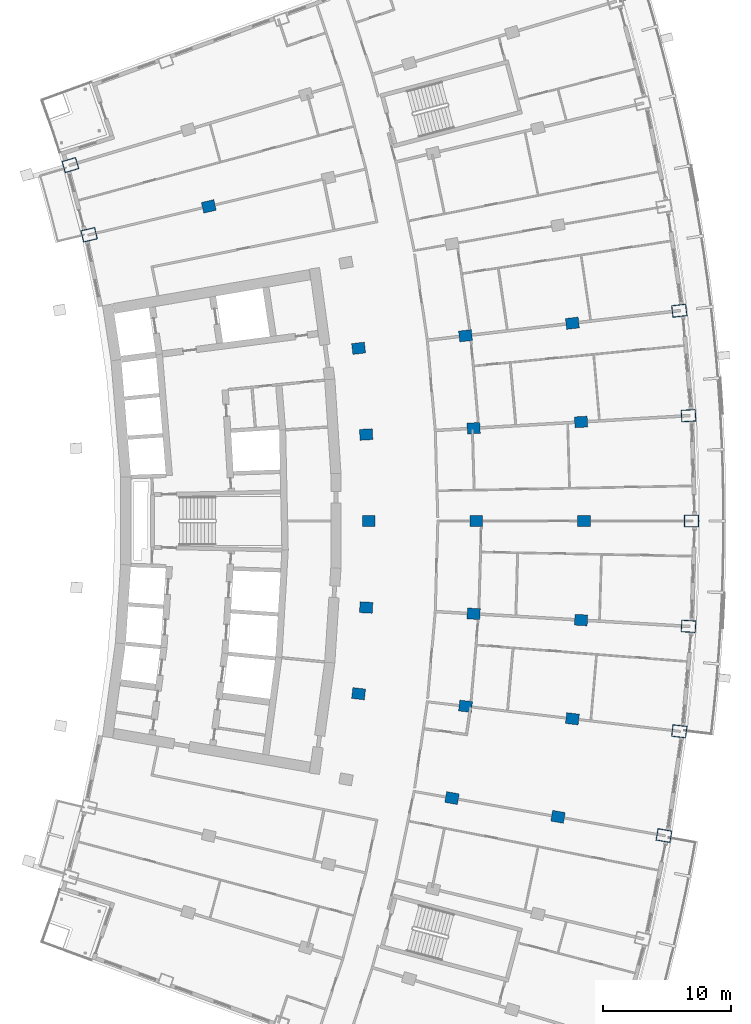
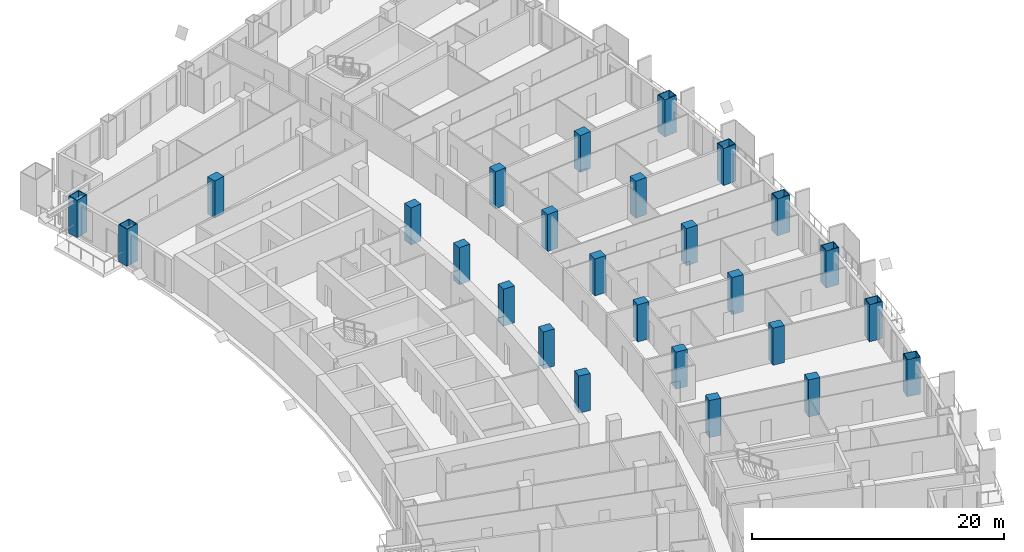
# One storey, part 6 of 25: 26 columns.
"""IFC4 building model written with IfcOpenShell, lengths in metres."""

from ifc_helpers import new_model, si_unit, direction, frame, origin, origin_2d, place, context, subcontext, project, spatial, rectangle, hollow_rectangle, extrude, material, material_profile, profile_set, type_object, element, save


model = new_model("IFC4")

# Units and contexts
model_context = context("Model", 3, precision=1e-05, world=origin(), true_north=direction((0.0, 1.0)))
body_context = subcontext(model_context, "Body", "Model", "MODEL_VIEW")
ifc_project = project(units=[si_unit("LENGTHUNIT", "METRE"), si_unit("AREAUNIT", "SQUARE_METRE"), si_unit("VOLUMEUNIT", "CUBIC_METRE"), si_unit("PLANEANGLEUNIT", "RADIAN"), si_unit("MASSUNIT", "GRAM", prefix="KILO")], contexts=[model_context])

# Site, building, storey
site_placement = place(None, origin())
site = spatial("IfcSite", under=ifc_project, at=site_placement, CompositionType="ELEMENT")
building_placement = place(site_placement, origin())
building = spatial("IfcBuilding", under=site, at=building_placement, Name="Alderwake Tower", CompositionType="ELEMENT")
storey_placement = place(building_placement, frame((0.0, 0.0, 111.199951171875)))
storey = spatial("IfcBuildingStorey", under=building, at=storey_placement, Name="L27", CompositionType="ELEMENT", Elevation=111.199951171875)

# Columns
ifc_material_1 = material(Name="Concrete C70/85", Category="concrete")
ifc_material_profile_1 = material_profile(ifc_material_1, rectangle(XDim=0.85009765625, YDim=1.0, at=origin_2d()), Name="RC 1000X850")
ifc_profile_set_1 = profile_set([ifc_material_profile_1], Name="Concrete C70/85")
column_type_1 = type_object("IfcColumnType", Name="Interior column Z2", PredefinedType="COLUMN", material=ifc_profile_set_1)
for number, where, z_axis, x_axis, name in (
    (1, (42.302978515625, 39.375732421875, 0.0), (0.0, 0.0, 1.0), (0.174108800747, 0.984726421654, 0.0), "Column R04-C3"),
    (2, (50.57470703125, 37.913330078125, 0.0), (0.0, 0.0, 1.0), (0.174107082075, 0.984726725529, 0.0), "Column R04-C4"),
    (3, (35.0126953125, 47.5205078125, 0.0), (0.0, 0.0, 1.0), (0.116402054316, 0.993202175668, 0.0), "Column R05-C2"),
    (4, (43.355712890625, 46.542724609375, 0.0), (0.0, 0.0, 1.0), (0.116402054316, 0.993202175668, 0.0), "Column R05-C3"),
    (5, (51.698486328125, 45.565185546875, 0.0), (0.0, 0.0, 1.0), (0.116402054316, 0.993202175668, 0.0), "Column R05-C4"),
    (6, (35.60302734375, 54.248779296875, 0.0), (0.0, 0.0, 1.0), (0.058301061284, 0.998299046505, 0.0), "Column R06-C2"),
    (7, (43.98876953125, 53.759033203125, 0.0), (0.0, 0.0, 1.0), (0.058301061284, 0.998299046505, 0.0), "Column R06-C3"),
    (8, (52.37451171875, 53.269287109375, 0.0), (0.0, 0.0, 1.0), (0.058299318924, 0.998299148258, 0.0), "Column R06-C4"),
    (9, (35.800048828125, 61.0, 0.0), (0.0, 0.0, 1.0), (0.0, 1.0, 0.0), "Column R07-C2"),
    (10, (44.199951171875, 61.0, 0.0), (0.0, 0.0, 1.0), (0.0, 1.0, 0.0), "Column R07-C3"),
    (11, (52.60009765625, 61.0, 0.0), (0.0, 0.0, 1.0), (0.0, 1.0, 0.0), "Column R07-C4"),
    (12, (35.60302734375, 67.751220703125, 0.0), (0.0, 0.0, 1.0), (-0.058301061284, 0.998299046505, 0.0), "Column R08-C2"),
    (13, (43.98876953125, 68.240966796875, 0.0), (0.0, 0.0, 1.0), (-0.058301061284, 0.998299046505, 0.0), "Column R08-C3"),
    (14, (52.37451171875, 68.730712890625, 0.0), (0.0, 0.0, 1.0), (-0.058299318924, 0.998299148258, 0.0), "Column R08-C4"),
    (15, (35.0126953125, 74.4794921875, 0.0), (0.0, 0.0, 1.0), (-0.116402054316, 0.993202175668, 0.0), "Column R09-C2"),
    (16, (43.355712890625, 75.457275390625, 0.0), (0.0, 0.0, 1.0), (-0.116402054316, 0.993202175668, 0.0), "Column R09-C3"),
    (17, (51.698486328125, 76.434814453125, 0.0), (0.0, 0.0, 1.0), (-0.116402054316, 0.993202175668, 0.0), "Column R09-C4"),
    (18, (23.322021484375, 85.555908203125, 0.0), (0.0, 0.0, 1.0), (-0.231221547198, 0.972901123502, 0.0), "Column R11-C1"),
):
    element("IfcColumn", number, at=place(storey_placement, frame(where, z_axis=z_axis, x_axis=x_axis)), inside=storey, type_object=column_type_1, Name=name, PredefinedType="COLUMN", context=body_context, shape_type="SweptSolid", body=[
        extrude(rectangle(XDim=0.85009765625, YDim=1.0, at=origin_2d()), origin(), (0.0, 0.0, 1.0), 3.60009765625),
    ])
ifc_material_2 = material(Name="Steel ASTM A572 Grade 50 concrete filled C70/85", Category="concrete")
ifc_material_profile_2 = material_profile(ifc_material_2, hollow_rectangle(XDim=0.949951171875, YDim=1.14990234375, WallThickness=0.06005859375, at=origin_2d()), Name="BOX 1150X950X60")
ifc_profile_set_2 = profile_set([ifc_material_profile_2], Name="Steel ASTM A572 Grade 50 concrete filled C70/85")
column_type_2 = type_object("IfcColumnType", Name="Perimeter column Z2", PredefinedType="COLUMN", material=ifc_profile_set_2)
for number, where, z_axis, x_axis, name in (
    (19, (58.846435546875, 36.45068359375, 0.0), (0.0, 0.0, 1.0), (0.174107082075, 0.984726725529, 0.0), "Column R04-C5"),
    (20, (60.04150390625, 44.58740234375, 0.0), (0.0, 0.0, 1.0), (0.116402054316, 0.993202175668, 0.0), "Column R05-C5"),
    (21, (60.76025390625, 52.77978515625, 0.0), (0.0, 0.0, 1.0), (0.058299318924, 0.998299148258, 0.0), "Column R06-C5"),
    (22, (61.0, 61.0, 0.0), (0.0, 0.0, 1.0), (0.0, 1.0, 0.0), "Column R07-C5"),
    (23, (60.76025390625, 69.22021484375, 0.0), (0.0, 0.0, 1.0), (-0.058299318924, 0.998299148258, 0.0), "Column R08-C5"),
    (24, (60.04150390625, 77.41259765625, 0.0), (0.0, 0.0, 1.0), (-0.116402054316, 0.993202175668, 0.0), "Column R09-C5"),
    (25, (13.982177734375, 83.3359375, 0.0), (0.0, 0.0, 1.0), (-0.231221547198, 0.972901123502, 0.0), "Column R11-C0"),
    (26, (12.520263671875, 88.777099609375, 0.0), (0.0, 0.0, 1.0), (-0.287549418125, 0.957765802342, 0.0), "Column R12-C0"),
):
    element("IfcColumn", number, at=place(storey_placement, frame(where, z_axis=z_axis, x_axis=x_axis)), inside=storey, type_object=column_type_2, Name=name, PredefinedType="COLUMN", context=body_context, shape_type="SweptSolid", body=[
        extrude(hollow_rectangle(XDim=0.949951171875, YDim=1.14990234375, WallThickness=0.06005859375, at=origin_2d()), origin(), (0.0, 0.0, 1.0), 3.60009765625),
    ])

save(model, "model.ifc")
